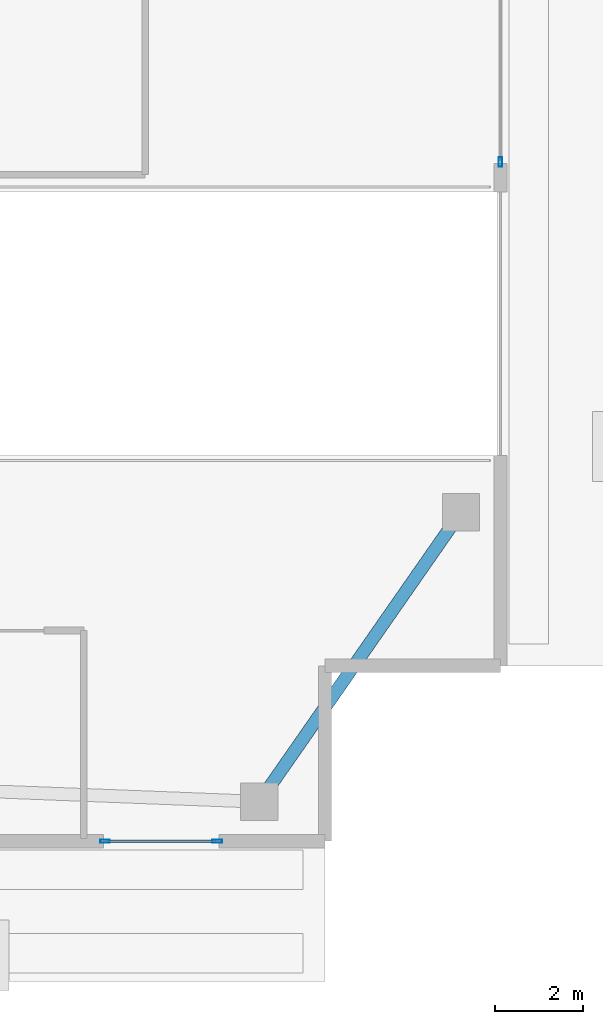
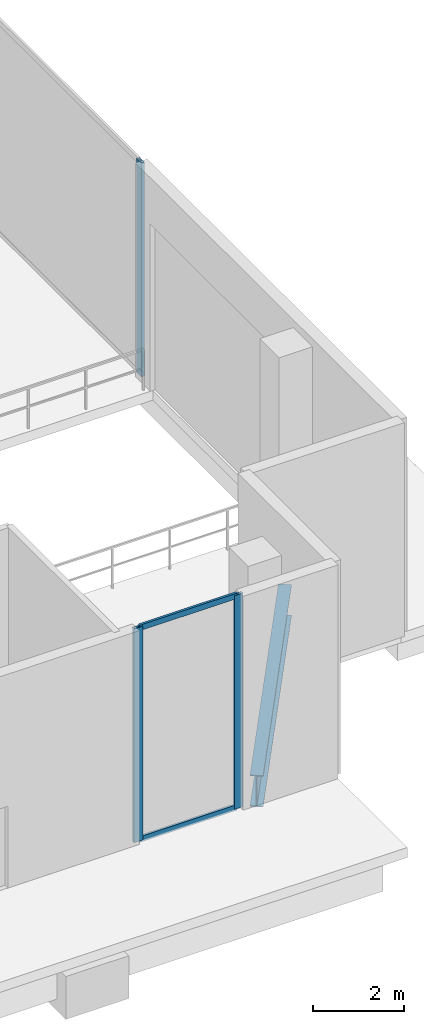
# One storey, part 22 of 39: 5 members, 1 beam, 2 elements without a shape of their own.
"""IFC4 building model written with IfcOpenShell, lengths in metres."""

import ifcopenshell
import ifcopenshell.guid

model = None  # the IFC model being written
_history = None  # IfcOwnerHistory: only IFC2X3 demands one
_inside = {}  # id of a spatial element -> (the spatial element, [elements in it])
_under = {}  # id of a project, library or spatial element -> (it, [spatial elements below it])
_declared = {}  # id of a project -> (the project, [libraries it declares])
_typed = {}  # id of a type object -> (the type object, [elements of that type])
_made_of = {}  # id of a material, layer set ... -> (it, [elements and type objects made of it])


def new_model(schema):
    """Start an empty IFC model of exactly this schema.

    Asked for "IFC4X3", IfcOpenShell would pick the latest addendum, in which some entities
    have other attributes; the version numbers below select the first issue.
    IFC2X3 requires an IfcOwnerHistory on every rooted entity: one is made here for all.
    """
    global model, _history
    if schema == "IFC4X3":
        model = ifcopenshell.file(schema_version=(4, 3, 0, 0))
    else:
        model = ifcopenshell.file(schema=schema)
    _inside.clear()
    _under.clear()
    _declared.clear()
    _typed.clear()
    _made_of.clear()
    _history = None
    if model.schema == "IFC2X3":
        org = make("IfcOrganization", Name="unknown")
        user = make(
            "IfcPersonAndOrganization",
            ThePerson=make("IfcPerson", FamilyName="unknown"),
            TheOrganization=org,
        )
        app = make(
            "IfcApplication",
            ApplicationDeveloper=org,
            Version="unknown",
            ApplicationFullName="unknown",
            ApplicationIdentifier="unknown",
        )
        _history = make(
            "IfcOwnerHistory",
            OwningUser=user,
            OwningApplication=app,
            ChangeAction="ADDED",
            CreationDate=0,
        )
    return model


def make(cls, **values):
    """One entity of the class cls with the attributes given. An attribute that is None is left unset."""
    return model.create_entity(
        cls, **{name: value for name, value in values.items() if value is not None}
    )


def rooted(cls, **values):
    """An entity with a GlobalId (a new one), such as an element, a storey or a relation."""
    return make(cls, GlobalId=ifcopenshell.guid.new(), OwnerHistory=_history, **values)


def si_unit(unit_type, name, prefix=None):
    """IfcSIUnit, for example si_unit("LENGTHUNIT", "METRE", prefix="MILLI")."""
    return make("IfcSIUnit", UnitType=unit_type, Prefix=prefix, Name=name)


def assignment(units):
    """IfcUnitAssignment: the units of a project."""
    return None if units is None else make("IfcUnitAssignment", Units=units)


def point(xyz):
    """IfcCartesianPoint."""
    return None if xyz is None else make("IfcCartesianPoint", Coordinates=xyz)


def direction(xyz):
    """IfcDirection."""
    return None if xyz is None else make("IfcDirection", DirectionRatios=xyz)


def frame(location, z_axis=None, x_axis=None):
    """IfcAxis2Placement3D, a coordinate frame: its origin and axes. An axis left out is left unset."""
    return make(
        "IfcAxis2Placement3D",
        Location=point(location),
        Axis=direction(z_axis),
        RefDirection=direction(x_axis),
    )


def frame_2d(location, x_axis=None):
    """IfcAxis2Placement2D, a coordinate frame in the plane: its origin and x axis."""
    return make(
        "IfcAxis2Placement2D", Location=point(location), RefDirection=direction(x_axis)
    )


def origin():
    """The frame at (0, 0, 0) with its axes left unset."""
    return frame((0.0, 0.0, 0.0))


def origin_2d():
    """The frame at (0, 0) in the plane with its x axis left unset."""
    return frame_2d((0.0, 0.0))


def place(relative_to, where):
    """IfcLocalPlacement: puts the frame where relative to a parent placement (None: the world)."""
    return make(
        "IfcLocalPlacement", PlacementRelTo=relative_to, RelativePlacement=where
    )


def context(
    kind, dimensions, precision=None, world=None, true_north=None, identifier=None
):
    """IfcGeometricRepresentationContext, for example the 3D "Model" context."""
    return make(
        "IfcGeometricRepresentationContext",
        ContextIdentifier=identifier,
        ContextType=kind,
        CoordinateSpaceDimension=dimensions,
        Precision=precision,
        WorldCoordinateSystem=world,
        TrueNorth=true_north,
    )


def subcontext(parent, identifier, kind, view, scale=None):
    """IfcGeometricRepresentationSubContext, for example "Body" below "Model"."""
    return make(
        "IfcGeometricRepresentationSubContext",
        ContextIdentifier=identifier,
        ContextType=kind,
        ParentContext=parent,
        TargetScale=scale,
        TargetView=view,
    )


def project(units=None, contexts=None):
    """IfcProject with its units and contexts."""
    return rooted(
        "IfcProject",
        Name="project",
        RepresentationContexts=contexts,
        UnitsInContext=assignment(units),
    )


def spatial(cls, under=None, at=None, **own):
    """A site, building, storey or space (cls), placed at a placement, below another one or the project."""
    s = rooted(cls, ObjectPlacement=at, **own)
    if under is not None:
        _under.setdefault(under.id(), (under, []))[1].append(s)
    return s


def profile(cls, at=None, kind="AREA", **sizes):
    """A parametric profile (cls). Its sizes go by their IFC names, for example OverallWidth=200.0."""
    return make(cls, ProfileType=kind, Position=at, **sizes)


def hollow_rectangle(**sizes):
    """IfcRectangleHollowProfileDef."""
    return profile("IfcRectangleHollowProfileDef", **sizes)


def i_section(**sizes):
    """IfcIShapeProfileDef."""
    return profile("IfcIShapeProfileDef", **sizes)


def extrude(swept, where, along, depth):
    """IfcExtrudedAreaSolid: the profile swept, set in the frame where, extruded along a direction by depth."""
    return make(
        "IfcExtrudedAreaSolid",
        SweptArea=swept,
        Position=where,
        ExtrudedDirection=direction(along),
        Depth=depth,
    )


def shape(context_of_items, identifier, shape_type, items):
    """IfcShapeRepresentation: the items that make up one representation, for example the "Body"."""
    return make(
        "IfcShapeRepresentation",
        ContextOfItems=context_of_items,
        RepresentationIdentifier=identifier,
        RepresentationType=shape_type,
        Items=items,
    )


def material(Name=None, Category=None):
    """IfcMaterial."""
    return make("IfcMaterial", Name=Name, Category=Category)


def layer(
    of_material, thickness, ventilated=None, Name=None, Category=None, Priority=None
):
    """IfcMaterialLayer: one layer of a wall or slab, of a material (None: an air gap)."""
    return make(
        "IfcMaterialLayer",
        Material=of_material,
        LayerThickness=thickness,
        IsVentilated=ventilated,
        Name=Name,
        Category=Category,
        Priority=Priority,
    )


def layer_set(layers, Name=None):
    """IfcMaterialLayerSet."""
    return make("IfcMaterialLayerSet", MaterialLayers=layers, LayerSetName=Name)


def material_profile(
    of_material, cross_section, Name=None, Category=None, Priority=None
):
    """IfcMaterialProfile: a cross section and its material."""
    return make(
        "IfcMaterialProfile",
        Name=Name,
        Material=of_material,
        Profile=cross_section,
        Priority=Priority,
        Category=Category,
    )


def profile_set(profiles, Name=None, composite=None):
    """IfcMaterialProfileSet."""
    return make(
        "IfcMaterialProfileSet",
        Name=Name,
        MaterialProfiles=profiles,
        CompositeProfile=composite,
    )


def made_of(thing, what):
    """Note that an element or type object is made of a material, layer set ...; save() writes the relation."""
    if what is not None:
        _made_of.setdefault(what.id(), (what, []))[1].append(thing)
    return thing


def type_object(cls, material=None, **own):
    """A type object (cls), such as IfcWallType, which elements share."""
    return made_of(rooted(cls, **own), material)


def element(
    cls,
    number,
    at=None,
    inside=None,
    cuts=None,
    type_object=None,
    material=None,
    context=None,
    identifier="Body",
    shape_type=None,
    held_by="IfcProductDefinitionShape",
    body=None,
    shapes=None,
    **own,
):
    """One element of the class cls, such as IfcWall. Its Tag is "e" and its number.

    at: its placement. inside: the storey or other place that contains it. cuts: it is an
    opening in that element (IfcRelVoidsElement). A single representation is given by context,
    identifier, shape_type and body (its items); several are given by shapes. held_by: the class
    of the entity that holds the representations. save() writes the other relations.
    """
    e = rooted(cls, Tag="e%d" % number, ObjectPlacement=at, **own)
    if body is not None:
        shapes = [shape(context, identifier, shape_type, body)]
    if shapes is not None:
        e.Representation = make(held_by, Representations=shapes)
    if inside is not None:
        _inside.setdefault(inside.id(), (inside, []))[1].append(e)
    if cuts is not None:
        rooted(
            "IfcRelVoidsElement", RelatingBuildingElement=cuts, RelatedOpeningElement=e
        )
    if type_object is not None:
        _typed.setdefault(type_object.id(), (type_object, []))[1].append(e)
    return made_of(e, material)


def aggregate(whole, parts):
    """IfcRelAggregates: a whole, such as a stair, and the parts it consists of."""
    return rooted("IfcRelAggregates", RelatingObject=whole, RelatedObjects=parts)


def save(model, path):
    """Write the relations noted so far, then the file.

    IfcRelAggregates (storeys below a building ...), IfcRelContainedInSpatialStructure (elements
    in a storey), IfcRelDefinesByType, IfcRelAssociatesMaterial and IfcRelDeclares: one each for
    every whole, place, type object, material and project.
    """
    for whole, parts in _under.values():
        aggregate(whole, parts)
    for where, things in _inside.values():
        rooted(
            "IfcRelContainedInSpatialStructure",
            RelatedElements=things,
            RelatingStructure=where,
        )
    for kind, things in _typed.values():
        rooted("IfcRelDefinesByType", RelatedObjects=things, RelatingType=kind)
    for what, things in _made_of.values():
        rooted("IfcRelAssociatesMaterial", RelatedObjects=things, RelatingMaterial=what)
    for by, libraries in _declared.values():
        rooted("IfcRelDeclares", RelatingContext=by, RelatedDefinitions=libraries)
    model.write(path)


model = new_model("IFC4")

# Units and contexts
model_context = context("Model", 3, precision=1e-05, world=origin(), true_north=direction((0.0, 1.0)))
body_context = subcontext(model_context, "Body", "Model", "MODEL_VIEW")
ifc_project = project(units=[si_unit("LENGTHUNIT", "METRE"), si_unit("AREAUNIT", "SQUARE_METRE"), si_unit("VOLUMEUNIT", "CUBIC_METRE"), si_unit("PLANEANGLEUNIT", "RADIAN"), si_unit("MASSUNIT", "GRAM", prefix="KILO")], contexts=[model_context])

# Site, building, storey
site_placement = place(None, origin())
site = spatial("IfcSite", under=ifc_project, at=site_placement, CompositionType="ELEMENT")
building_placement = place(site_placement, origin())
building = spatial("IfcBuilding", under=site, at=building_placement, Name="Zuhayl Quay Hotel", CompositionType="ELEMENT")
storey_placement = place(building_placement, origin())
storey = spatial("IfcBuildingStorey", under=building, at=storey_placement, Name="L00", CompositionType="ELEMENT", Elevation=0.0)

# Beam
ifc_material_1 = material(Name="Steel ASTM A992 Grade 50", Category="steel")
ifc_material_profile_1 = material_profile(ifc_material_1, i_section(OverallWidth=0.2919921875, OverallDepth=0.845947265625, WebThickness=0.015380859375, FlangeThickness=0.0244140625, at=origin_2d()), Name="W33X141")
ifc_profile_set_1 = profile_set([ifc_material_profile_1], Name="Steel ASTM A992 Grade 50")
beam_type = type_object("IfcBeamType", Name="BM_PG3_W33X141", PredefinedType="BEAM", material=ifc_profile_set_1)
beam_placement = place(storey_placement, frame((30.6943359375, -22.821044921875, -0.68310546875), z_axis=(0.571785900762, 0.820402878889, 0.0), x_axis=(-0.820402878889, 0.571785900762, 0.0)))
element("IfcBeam", 1, at=beam_placement, inside=storey, type_object=beam_type, Name="L00 Floor Beam PG_E_L00_0", PredefinedType="BEAM", context=body_context, shape_type="SweptSolid", body=[
    extrude(i_section(OverallWidth=0.2919921875, OverallDepth=0.845947265625, WebThickness=0.015380859375, FlangeThickness=0.0244140625, at=origin_2d()), origin(), (0.0, 0.0, 1.0), 7.364990234375),
])

# Curtain wall, member
ifc_material_2 = material(Name="Anodised Aluminium 6063-T6", Category="aluminium")
ifc_layer = layer(ifc_material_2, 0.199951171875, Name="Anodised Aluminium 6063-T6", Category="aluminium")
ifc_layer_set = layer_set([ifc_layer], Name="Anodised Aluminium 6063-T6")
curtain_wall_type = type_object("IfcCurtainWallType", Name="CW_SYS_POD", PredefinedType="USERDEFINED", material=ifc_layer_set)
curtain_wall_1_placement = place(storey_placement, origin())
curtain_wall_1 = element("IfcCurtainWall", 2, at=curtain_wall_1_placement, inside=storey, type_object=curtain_wall_type, Name="L00 Curtain Wall ENV_L00_E08_CW2", ObjectType="UNITISED CURTAIN WALL", PredefinedType="USERDEFINED")
ifc_material_3 = material(Name="Black-anodised aluminium 6063-T6", Category="aluminium")
ifc_material_profile_2 = material_profile(ifc_material_3, hollow_rectangle(XDim=0.074951171875, YDim=0.219970703125, WallThickness=0.00390625, at=origin_2d()), Name="ALU220X75")
ifc_profile_set_2 = profile_set([ifc_material_profile_2], Name="Black-anodised aluminium 6063-T6")
member_type_1 = type_object("IfcMemberType", Name="MB_CW_MUL_220", PredefinedType="MULLION", material=ifc_profile_set_2)
member_1_placement = place(storey_placement, frame((36.0, -8.512451171875, 0.0), z_axis=(0.0, 0.0, 1.0), x_axis=(1.0, 0.0, 0.0)))
member_1 = element("IfcMember", 3, at=member_1_placement, type_object=member_type_1, Name="CW-POD mullion 2", PredefinedType="MULLION", context=body_context, shape_type="SweptSolid", body=[
    extrude(hollow_rectangle(XDim=0.074951171875, YDim=0.219970703125, WallThickness=0.00390625, at=origin_2d()), origin(), (0.0, 0.0, 1.0), 5.75),
])
aggregate(curtain_wall_1, [member_1])

# Curtain wall, members
curtain_wall_2_placement = place(storey_placement, origin())
curtain_wall_2 = element("IfcCurtainWall", 4, at=curtain_wall_2_placement, inside=storey, type_object=curtain_wall_type, Name="L00 Curtain Wall ENV_L00_E11_CW1", ObjectType="UNITISED CURTAIN WALL", PredefinedType="USERDEFINED")
member_2_placement = place(storey_placement, frame((29.54248046875, -24.0, 0.0), z_axis=(0.0, 0.0, 1.0), x_axis=(0.0, -1.0, 0.0)))
member_2 = element("IfcMember", 5, at=member_2_placement, type_object=member_type_1, Name="CW-POD mullion 1", PredefinedType="MULLION", context=body_context, shape_type="SweptSolid", body=[
    extrude(hollow_rectangle(XDim=0.074951171875, YDim=0.219970703125, WallThickness=0.00390625, at=origin_2d()), origin(), (0.0, 0.0, 1.0), 5.75),
])
member_3_placement = place(storey_placement, frame((26.987548828125, -24.0, 0.0), z_axis=(0.0, 0.0, 1.0), x_axis=(0.0, -1.0, 0.0)))
member_3 = element("IfcMember", 6, at=member_3_placement, type_object=member_type_1, Name="CW-POD mullion 2", PredefinedType="MULLION", context=body_context, shape_type="SweptSolid", body=[
    extrude(hollow_rectangle(XDim=0.074951171875, YDim=0.219970703125, WallThickness=0.00390625, at=origin_2d()), origin(), (0.0, 0.0, 1.0), 5.75),
])
ifc_material_profile_3 = material_profile(ifc_material_3, hollow_rectangle(XDim=0.06005859375, YDim=0.14990234375, WallThickness=0.00341796875, at=origin_2d()), Name="ALU150X60")
ifc_profile_set_3 = profile_set([ifc_material_profile_3], Name="Black-anodised aluminium 6063-T6")
member_type_2 = type_object("IfcMemberType", Name="MB_CW_TRN_150", PredefinedType="USERDEFINED", material=ifc_profile_set_3)
member_4_placement = place(storey_placement, frame((29.5048828125, -24.0, 0.030029296875), z_axis=(-1.0, 0.0, 0.0), x_axis=(0.0, -1.0, 0.0)))
member_4 = element("IfcMember", 7, at=member_4_placement, type_object=member_type_2, Name="CW-POD transom 1.1", ObjectType="TRANSOM", PredefinedType="USERDEFINED", context=body_context, shape_type="SweptSolid", body=[
    extrude(hollow_rectangle(XDim=0.06005859375, YDim=0.14990234375, WallThickness=0.00341796875, at=origin_2d()), origin(), (0.0, 0.0, 1.0), 2.47998046875),
])
member_5_placement = place(storey_placement, frame((29.5048828125, -24.0, 5.719970703125), z_axis=(-1.0, 0.0, 0.0), x_axis=(0.0, -1.0, 0.0)))
member_5 = element("IfcMember", 8, at=member_5_placement, type_object=member_type_2, Name="CW-POD transom 1.2", ObjectType="TRANSOM", PredefinedType="USERDEFINED", context=body_context, shape_type="SweptSolid", body=[
    extrude(hollow_rectangle(XDim=0.06005859375, YDim=0.14990234375, WallThickness=0.00341796875, at=origin_2d()), origin(), (0.0, 0.0, 1.0), 2.47998046875),
])
aggregate(curtain_wall_2, [member_2, member_3, member_4, member_5])

save(model, "model.ifc")
